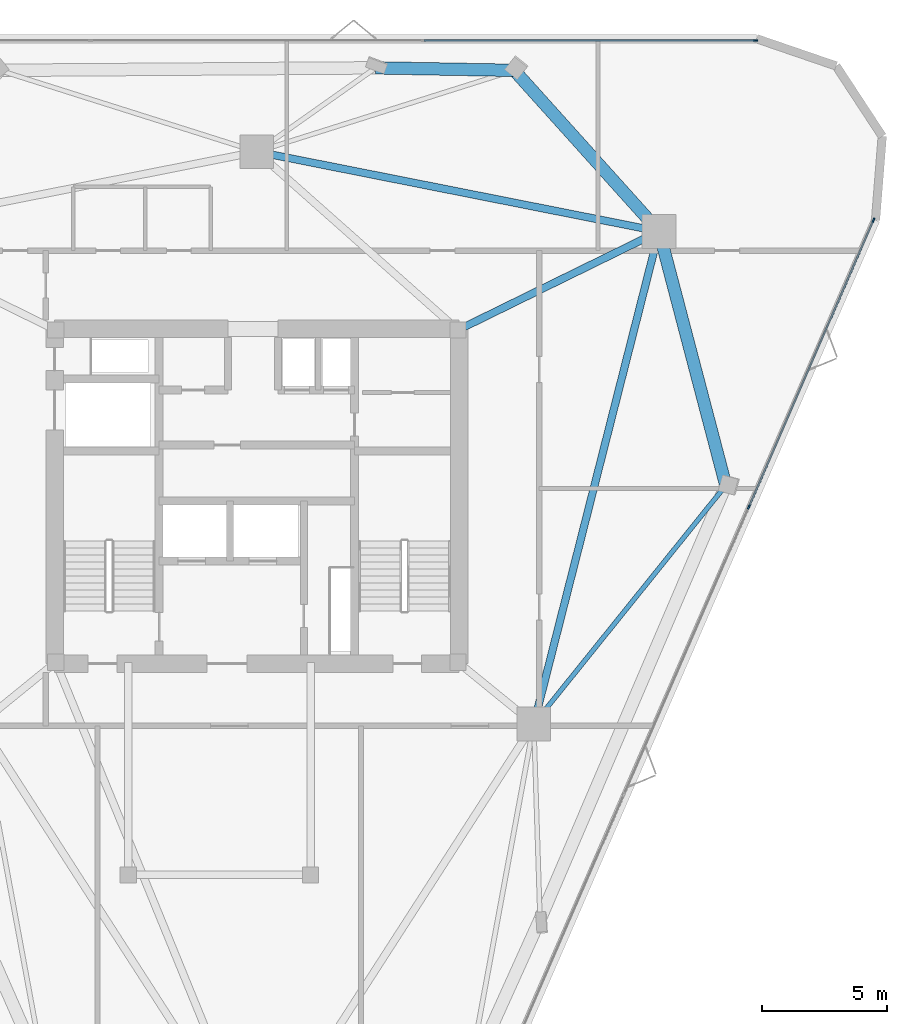
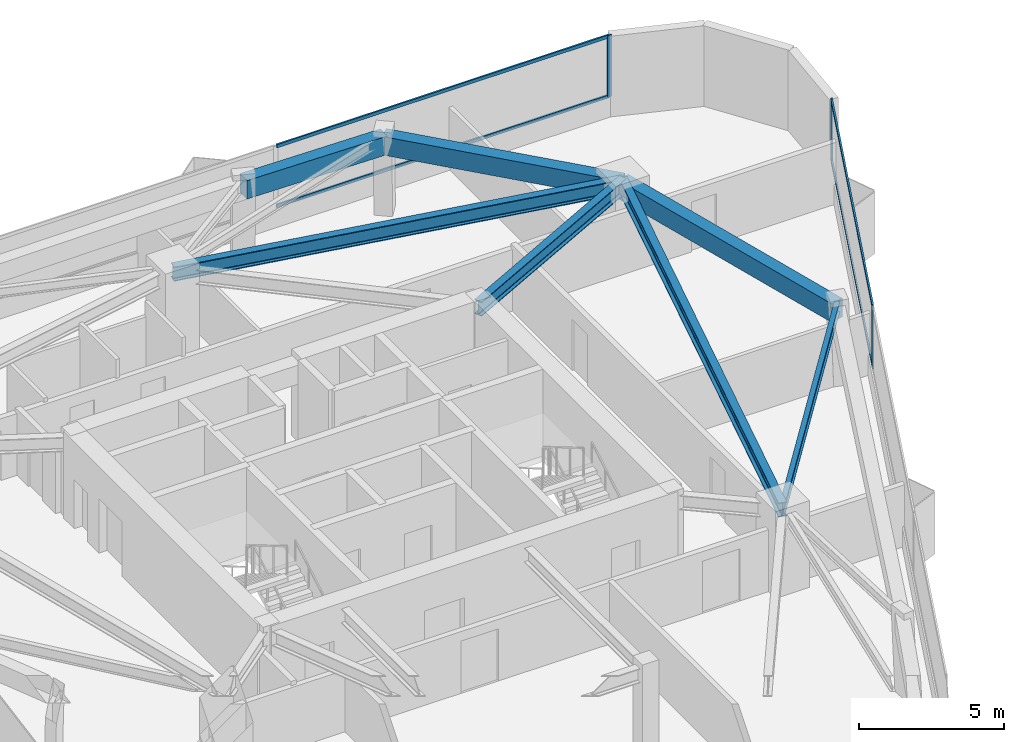
# One storey, part 8 of 12: 7 beams, 7 members, 2 elements without a shape of their own.
"""IFC4 building model written with IfcOpenShell, lengths in metres."""

from ifc_helpers import new_model, si_unit, direction, frame, origin, origin_2d, place, context, subcontext, project, spatial, rectangle, i_section, extrude, material, layer, layer_set, material_profile, profile_set, type_object, element, aggregate, save


model = new_model("IFC4")

# Units and contexts
model_context = context("Model", 3, precision=1e-05, world=origin(), true_north=direction((0.0, 1.0)))
body_context = subcontext(model_context, "Body", "Model", "MODEL_VIEW")
ifc_project = project(units=[si_unit("LENGTHUNIT", "METRE"), si_unit("AREAUNIT", "SQUARE_METRE"), si_unit("VOLUMEUNIT", "CUBIC_METRE"), si_unit("PLANEANGLEUNIT", "RADIAN"), si_unit("MASSUNIT", "GRAM", prefix="KILO")], contexts=[model_context])

# Site, building, storey
site_placement = place(None, origin())
site = spatial("IfcSite", under=ifc_project, at=site_placement, CompositionType="ELEMENT")
building_placement = place(site_placement, origin())
building = spatial("IfcBuilding", under=site, at=building_placement, Name="Talyreon Biosciences Tower", CompositionType="ELEMENT")
storey_placement = place(building_placement, frame((0.0, 0.0, 215.89990234375)))
storey = spatial("IfcBuildingStorey", under=building, at=storey_placement, Name="L57", CompositionType="ELEMENT", Elevation=215.89990234375)

# Curtain wall, member
ifc_material_1 = material(Name="Thermally broken aluminium and low-E glazing", Category="aluminium")
ifc_layer = layer(ifc_material_1, 0.179931640625)
ifc_layer_set = layer_set([ifc_layer], Name="Thermally broken aluminium and low-E glazing")
curtain_wall_type = type_object("IfcCurtainWallType", Name="CurtainWall_Zone4Optical", PredefinedType="NOTDEFINED", material=ifc_layer_set)
curtain_wall_1_placement = place(storey_placement, origin())
curtain_wall_1 = element("IfcCurtainWall", 1, at=curtain_wall_1_placement, inside=storey, type_object=curtain_wall_type, Name="L57 Unitised Curtain Wall FCW-L57-04", PredefinedType="NOTDEFINED")
ifc_material_2 = material(Name="Anodised thermally broken aluminium", Category="aluminium")
ifc_material_profile_1 = material_profile(ifc_material_2, rectangle(XDim=0.06494140625, YDim=0.179931640625, at=origin_2d()), Name="ALUM MULLION 65x180")
ifc_profile_set_1 = profile_set([ifc_material_profile_1], Name="Anodised thermally broken aluminium")
member_type_1 = type_object("IfcMemberType", Name="CWMullion_65x180", PredefinedType="MULLION", material=ifc_profile_set_1)
member_1_placement = place(storey_placement, frame((85.967529296875, 86.23828125, 0.81005859375), z_axis=(0.0, 0.0, 1.0), x_axis=(0.0, 1.0, 0.0)))
member_1 = element("IfcMember", 2, at=member_1_placement, type_object=member_type_1, Name="CW5 mullion 4", PredefinedType="MULLION", context=body_context, shape_type="SweptSolid", body=[
    extrude(rectangle(XDim=0.06494140625, YDim=0.179931640625, at=origin_2d()), origin(), (0.0, 0.0, 1.0), 2.590087890625),
])

# Curtain wall, members
curtain_wall_2_placement = place(storey_placement, origin())
curtain_wall_2 = element("IfcCurtainWall", 3, at=curtain_wall_2_placement, inside=storey, type_object=curtain_wall_type, Name="L57 Unitised Curtain Wall FCW-L57-08", PredefinedType="NOTDEFINED")
member_2_placement = place(storey_placement, frame((90.683349609375, 79.048828125, 0.81005859375), z_axis=(0.0, 0.0, 1.0), x_axis=(0.917221993355, -0.398376473835, 0.0)))
member_2 = element("IfcMember", 4, at=member_2_placement, type_object=member_type_1, Name="CW5 mullion 1", PredefinedType="MULLION", context=body_context, shape_type="SweptSolid", body=[
    extrude(rectangle(XDim=0.06494140625, YDim=0.179931640625, at=origin_2d()), origin(), (0.0, 0.0, 1.0), 2.590087890625),
])
member_3_placement = place(storey_placement, frame((85.6962890625, 67.566650390625, 0.81005859375), z_axis=(0.0, 0.0, 1.0), x_axis=(0.917221993355, -0.398376473835, 0.0)))
member_3 = element("IfcMember", 5, at=member_3_placement, type_object=member_type_1, Name="CW5 mullion 2", PredefinedType="MULLION", context=body_context, shape_type="SweptSolid", body=[
    extrude(rectangle(XDim=0.06494140625, YDim=0.179931640625, at=origin_2d()), origin(), (0.0, 0.0, 1.0), 2.590087890625),
])

# Member
ifc_material_profile_2 = material_profile(ifc_material_2, rectangle(XDim=0.06494140625, YDim=0.139892578125, at=origin_2d()), Name="ALUM TRANSOM 65x140")
ifc_profile_set_2 = profile_set([ifc_material_profile_2], Name="Anodised thermally broken aluminium")
member_type_2 = type_object("IfcMemberType", Name="CWTransom_65x140", PredefinedType="USERDEFINED", material=ifc_profile_set_2)
member_4_placement = place(storey_placement, frame((72.69921875, 86.23828125, 0.842529296875), z_axis=(1.0, 0.0, 0.0), x_axis=(0.0, 1.0, 0.0)))
member_4 = element("IfcMember", 6, at=member_4_placement, type_object=member_type_2, Name="CW5 transom 3.1", ObjectType="TRANSOM", PredefinedType="USERDEFINED", context=body_context, shape_type="SweptSolid", body=[
    extrude(rectangle(XDim=0.06494140625, YDim=0.139892578125, at=origin_2d()), origin(), (0.0, 0.0, 1.0), 13.23583984375),
])

member_5_placement = place(storey_placement, frame((72.69921875, 86.23828125, 3.36767578125), z_axis=(1.0, 0.0, 0.0), x_axis=(0.0, 1.0, 0.0)))
member_5 = element("IfcMember", 7, at=member_5_placement, type_object=member_type_2, Name="CW5 transom 3.2", ObjectType="TRANSOM", PredefinedType="USERDEFINED", context=body_context, shape_type="SweptSolid", body=[
    extrude(rectangle(XDim=0.06494140625, YDim=0.139892578125, at=origin_2d()), origin(), (0.0, 0.0, 1.0), 13.23583984375),
])

aggregate(curtain_wall_1, [member_1, member_4, member_5])

member_6_placement = place(storey_placement, frame((90.67041015625, 79.01904296875, 0.842529296875), z_axis=(-0.398376978135, -0.917221774323, 0.0), x_axis=(0.917221774323, -0.398376978135, 0.0)))
member_6 = element("IfcMember", 8, at=member_6_placement, type_object=member_type_2, Name="CW5 transom 1.1", ObjectType="TRANSOM", PredefinedType="USERDEFINED", context=body_context, shape_type="SweptSolid", body=[
    extrude(rectangle(XDim=0.06494140625, YDim=0.139892578125, at=origin_2d()), origin(), (0.0, 0.0, 1.0), 12.453369140625),
])

member_7_placement = place(storey_placement, frame((90.67041015625, 79.01904296875, 3.36767578125), z_axis=(-0.398376978135, -0.917221774323, 0.0), x_axis=(0.917221774323, -0.398376978135, 0.0)))
member_7 = element("IfcMember", 9, at=member_7_placement, type_object=member_type_2, Name="CW5 transom 1.2", ObjectType="TRANSOM", PredefinedType="USERDEFINED", context=body_context, shape_type="SweptSolid", body=[
    extrude(rectangle(XDim=0.06494140625, YDim=0.139892578125, at=origin_2d()), origin(), (0.0, 0.0, 1.0), 12.453369140625),
])

aggregate(curtain_wall_2, [member_2, member_3, member_6, member_7])

# Beams
ifc_material_3 = material(Name="Precast concrete C45/55", Category="concrete")
ifc_material_profile_3 = material_profile(ifc_material_3, rectangle(XDim=0.5, YDim=0.780029296875, at=origin_2d()), Name="RCB 500x780")
ifc_profile_set_3 = profile_set([ifc_material_profile_3], Name="Precast concrete C45/55")
beam_type_1 = type_object("IfcBeamType", Name="ExpressedSpandrel_500x780", PredefinedType="SPANDREL", material=ifc_profile_set_3)
beam_1_placement = place(storey_placement, frame((84.771728515625, 68.432861328125, 3.010009765625), z_axis=(-0.253979890568, 0.967209499119, 0.0), x_axis=(-0.967209499119, -0.253979890568, 0.0)))
element("IfcBeam", 10, at=beam_1_placement, inside=storey, type_object=beam_type_1, Name="L57 Expressed Horizontal Concrete Spandrel 04", PredefinedType="SPANDREL", context=body_context, shape_type="SweptSolid", body=[
    extrude(rectangle(XDim=0.5, YDim=0.780029296875, at=origin_2d()), origin(), (0.0, 0.0, 1.0), 10.510498046875),
])
beam_2_placement = place(storey_placement, frame((82.102294921875, 78.5986328125, 3.010009765625), z_axis=(-0.668807631892, 0.743435505961, 0.0), x_axis=(-0.743435505961, -0.668807631892, 0.0)))
element("IfcBeam", 11, at=beam_2_placement, inside=storey, type_object=beam_type_1, Name="L57 Expressed Horizontal Concrete Spandrel 05", PredefinedType="SPANDREL", context=body_context, shape_type="SweptSolid", body=[
    extrude(rectangle(XDim=0.5, YDim=0.780029296875, at=origin_2d()), origin(), (0.0, 0.0, 1.0), 8.672607421875),
])
beam_3_placement = place(storey_placement, frame((76.302001953125, 85.046142578125, 3.010009765625), z_axis=(-0.999838021935, 0.017998052505, 0.0), x_axis=(-0.017998052505, -0.999838021935, 0.0)))
element("IfcBeam", 12, at=beam_3_placement, inside=storey, type_object=beam_type_1, Name="L57 Expressed Horizontal Concrete Spandrel 06", PredefinedType="SPANDREL", context=body_context, shape_type="SweptSolid", body=[
    extrude(rectangle(XDim=0.5, YDim=0.780029296875, at=origin_2d()), origin(), (0.0, 0.0, 1.0), 5.548095703125),
])
ifc_material_4 = material(Name="Steel SM355", Category="steel")
ifc_material_profile_4 = material_profile(ifc_material_4, i_section(OverallWidth=0.300048828125, OverallDepth=0.60009765625, WebThickness=0.015380859375, FlangeThickness=0.030029296875, FilletRadius=0.027099609375, at=origin_2d()), Name="HE600B")
ifc_profile_set_4 = profile_set([ifc_material_profile_4], Name="Steel SM355")
beam_type_2 = type_object("IfcBeamType", Name="SteelBeam_HE600B", PredefinedType="BEAM", material=ifc_profile_set_4)
beam_4_placement = place(storey_placement, frame((77.086181640625, 58.88037109375, 3.10009765625), z_axis=(0.246537082299, 0.969133358755, 0.0), x_axis=(-0.969133358755, 0.246537082299, 0.0)))
element("IfcBeam", 13, at=beam_4_placement, inside=storey, type_object=beam_type_2, Name="L57 Mega-Ring Girder 2", PredefinedType="BEAM", context=body_context, shape_type="SweptSolid", body=[
    extrude(i_section(OverallWidth=0.300048828125, OverallDepth=0.60009765625, WebThickness=0.015380859375, FlangeThickness=0.030029296875, FilletRadius=0.027099609375, at=origin_2d()), origin(), (0.0, 0.0, 1.0), 20.34619140625),
])
beam_5_placement = place(storey_placement, frame((82.102294921875, 78.5986328125, 3.10009765625), z_axis=(-0.980933730698, 0.194342522311, 0.0), x_axis=(-0.194342522311, -0.980933730698, 0.0)))
element("IfcBeam", 14, at=beam_5_placement, inside=storey, type_object=beam_type_2, Name="L57 Mega-Ring Girder 3", PredefinedType="BEAM", context=body_context, shape_type="SweptSolid", body=[
    extrude(i_section(OverallWidth=0.300048828125, OverallDepth=0.60009765625, WebThickness=0.015380859375, FlangeThickness=0.030029296875, FilletRadius=0.027099609375, at=origin_2d()), origin(), (0.0, 0.0, 1.0), 16.415283203125),
])
beam_6_placement = place(storey_placement, frame((74.050048828125, 74.64990234375, 3.10009765625), z_axis=(0.897852360314, 0.440296648952, 0.0), x_axis=(-0.440296648952, 0.897852360314, 0.0)))
element("IfcBeam", 15, at=beam_6_placement, inside=storey, type_object=beam_type_2, Name="L57 Radial Primary Girder 3", PredefinedType="BEAM", context=body_context, shape_type="SweptSolid", body=[
    extrude(i_section(OverallWidth=0.300048828125, OverallDepth=0.60009765625, WebThickness=0.015380859375, FlangeThickness=0.030029296875, FilletRadius=0.027099609375, at=origin_2d()), origin(), (0.0, 0.0, 1.0), 8.96826171875),
])
ifc_material_profile_5 = material_profile(ifc_material_4, i_section(OverallWidth=0.18994140625, OverallDepth=0.449951171875, WebThickness=0.009521484375, FlangeThickness=0.0146484375, FilletRadius=0.02099609375, at=origin_2d()), Name="IPE450")
ifc_profile_set_5 = profile_set([ifc_material_profile_5], Name="Steel SM355")
beam_type_3 = type_object("IfcBeamType", Name="SteelJoist_IPE450", PredefinedType="JOIST", material=ifc_profile_set_5)
beam_7_placement = place(storey_placement, frame((77.086181640625, 58.88037109375, 3.175048828125), z_axis=(0.626858781353, 0.779132895108, 0.0), x_axis=(-0.779132895108, 0.626858781353, 0.0)))
element("IfcBeam", 16, at=beam_7_placement, inside=storey, type_object=beam_type_3, Name="L57 Radial Composite Floor Joist PC-SE2", PredefinedType="JOIST", context=body_context, shape_type="SweptSolid", body=[
    extrude(i_section(OverallWidth=0.18994140625, OverallDepth=0.449951171875, WebThickness=0.009521484375, FlangeThickness=0.0146484375, FilletRadius=0.02099609375, at=origin_2d()), origin(), (0.0, 0.0, 1.0), 12.260498046875),
])

save(model, "model.ifc")
